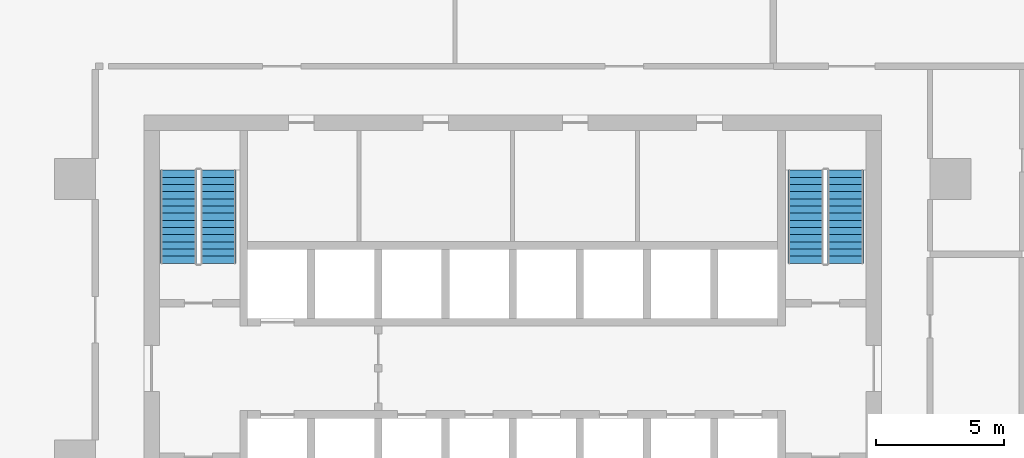
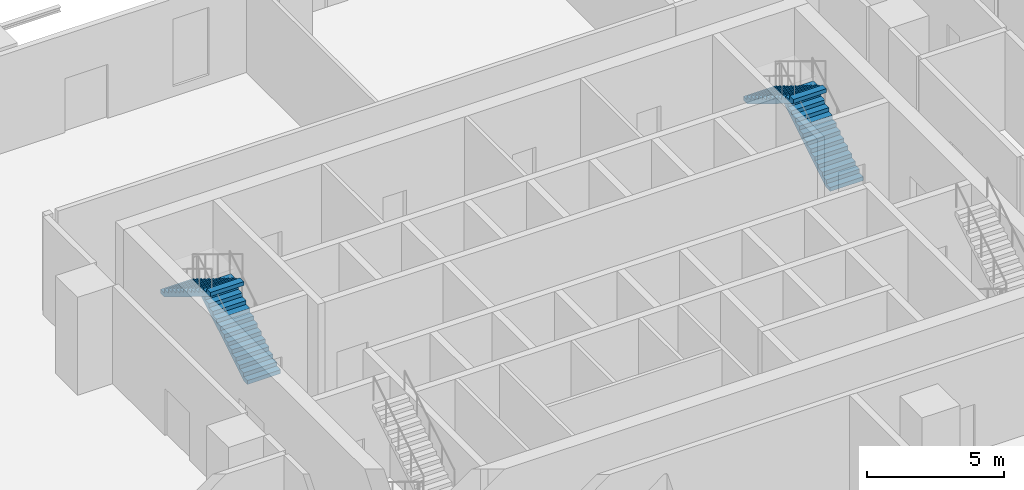
# One storey, part 11 of 15: 4 stair flights, 2 elements without a shape of their own.
"""IFC4 building model written with IfcOpenShell, lengths in metres."""

from ifc_helpers import new_model, si_unit, direction, frame, origin, place, context, subcontext, project, spatial, polyline, outline, extrude, material, type_object, element, aggregate, save


model = new_model("IFC4")

# Units and contexts
model_context = context("Model", 3, precision=1e-05, world=origin(), true_north=direction((0.0, 1.0)))
body_context = subcontext(model_context, "Body", "Model", "MODEL_VIEW")
ifc_project = project(units=[si_unit("LENGTHUNIT", "METRE"), si_unit("AREAUNIT", "SQUARE_METRE"), si_unit("VOLUMEUNIT", "CUBIC_METRE"), si_unit("PLANEANGLEUNIT", "RADIAN"), si_unit("MASSUNIT", "GRAM", prefix="KILO")], contexts=[model_context])

# Site, building, storey
site_placement = place(None, origin())
site = spatial("IfcSite", under=ifc_project, at=site_placement, CompositionType="ELEMENT")
building_placement = place(site_placement, origin())
building = spatial("IfcBuilding", under=site, at=building_placement, Name="Mopane Tessera Tower", CompositionType="ELEMENT")
storey_placement = place(building_placement, frame((0.0, 0.0, 64.60009765625)))
storey = spatial("IfcBuildingStorey", under=building, at=storey_placement, Name="L12", CompositionType="ELEMENT", Elevation=64.60009765625)

# Stair, stair flights
ifc_material_1 = material(Name="Concrete C50/60", Category="concrete")
stair_type = type_object("IfcStairType", Name="Escape stair 1400 mm, riser 171 mm", PredefinedType="HALF_TURN_STAIR", material=ifc_material_1)
stair_1_placement = place(storey_placement, origin())
stair_1 = element("IfcStair", 1, at=stair_1_placement, inside=storey, type_object=stair_type, Name="L12 Escape stair north-west", PredefinedType="HALF_TURN_STAIR")
ifc_material_2 = material(Name="Concrete C50/60", Category="concrete")
stair_flight_type = type_object("IfcStairFlightType", Name="Escape stair flight 1400 mm", PredefinedType="STRAIGHT", material=ifc_material_2)
stair_flight_1_placement = place(storey_placement, frame((-11.5, 7.699951171875, 0.0), z_axis=(0.0, 0.0, 1.0), x_axis=(0.0, 1.0, 0.0)))
stair_flight_1 = element("IfcStairFlight", 2, at=stair_flight_1_placement, type_object=stair_flight_type, Name="ST2 flight 1", NumberOfRisers=14, NumberOfTreads=13, PredefinedType="STRAIGHT", RiserHeight=0.171428571, TreadLength=0.28, context=body_context, shape_type="SweptSolid", body=[
    extrude(outline(polyline([(0.0, 0.0), (0.0, 0.17138671875), (0.280029296875, 0.17138671875), (0.280029296875, 0.3427734375), (0.56005859375, 0.3427734375), (0.56005859375, 0.514404296875), (0.840087890625, 0.514404296875), (0.840087890625, 0.685791015625), (1.1201171875, 0.685791015625), (1.1201171875, 0.857177734375), (1.39990234375, 0.857177734375), (1.39990234375, 1.028564453125), (1.679931640625, 1.028564453125), (1.679931640625, 1.199951171875), (1.9599609375, 1.199951171875), (1.9599609375, 1.371337890625), (2.239990234375, 1.371337890625), (2.239990234375, 1.54296875), (2.52001953125, 1.54296875), (2.52001953125, 1.71435546875), (2.800048828125, 1.71435546875), (2.800048828125, 1.8857421875), (3.080078125, 1.8857421875), (3.080078125, 2.05712890625), (3.360107421875, 2.05712890625), (3.360107421875, 2.228515625), (3.639892578125, 2.228515625), (3.639892578125, 2.39990234375), (3.639892578125, 2.052734375), (0.287109375, 0.0), (0.0, 0.0)])), frame((0.0, 0.699951171875, 0.0), z_axis=(0.0, -1.0, 0.0), x_axis=(1.0, 0.0, 0.0)), (0.0, 0.0, 1.0), 1.39990234375),
])
stair_flight_2_placement = place(storey_placement, frame((-13.050048828125, 11.340087890625, 2.39990234375), z_axis=(0.0, 0.0, 1.0), x_axis=(0.0, -1.0, 0.0)))
stair_flight_2 = element("IfcStairFlight", 3, at=stair_flight_2_placement, type_object=stair_flight_type, Name="ST2 flight 2", NumberOfRisers=14, NumberOfTreads=13, PredefinedType="STRAIGHT", RiserHeight=0.171428571, TreadLength=0.28, context=body_context, shape_type="SweptSolid", body=[
    extrude(outline(polyline([(0.0, 0.0), (0.0, 0.17138671875), (0.280029296875, 0.17138671875), (0.280029296875, 0.3427734375), (0.56005859375, 0.3427734375), (0.56005859375, 0.514404296875), (0.840087890625, 0.514404296875), (0.840087890625, 0.685791015625), (1.1201171875, 0.685791015625), (1.1201171875, 0.857177734375), (1.39990234375, 0.857177734375), (1.39990234375, 1.028564453125), (1.679931640625, 1.028564453125), (1.679931640625, 1.199951171875), (1.9599609375, 1.199951171875), (1.9599609375, 1.371337890625), (2.239990234375, 1.371337890625), (2.239990234375, 1.54296875), (2.52001953125, 1.54296875), (2.52001953125, 1.71435546875), (2.800048828125, 1.71435546875), (2.800048828125, 1.8857421875), (3.080078125, 1.8857421875), (3.080078125, 2.05712890625), (3.360107421875, 2.05712890625), (3.360107421875, 2.228515625), (3.639892578125, 2.228515625), (3.639892578125, 2.39990234375), (3.639892578125, 2.052734375), (0.287109375, 0.0), (0.0, 0.0)])), frame((0.0, 0.699951171875, 0.0), z_axis=(0.0, -1.0, 0.0), x_axis=(1.0, 0.0, 0.0)), (0.0, 0.0, 1.0), 1.39990234375),
])
aggregate(stair_1, [stair_flight_1, stair_flight_2])

stair_2_placement = place(storey_placement, origin())
stair_2 = element("IfcStair", 4, at=stair_2_placement, inside=storey, type_object=stair_type, Name="L12 Escape stair north-east", PredefinedType="HALF_TURN_STAIR")
stair_flight_3_placement = place(storey_placement, frame((13.0, 7.699951171875, 0.0), z_axis=(0.0, 0.0, 1.0), x_axis=(0.0, 1.0, 0.0)))
stair_flight_3 = element("IfcStairFlight", 5, at=stair_flight_3_placement, type_object=stair_flight_type, Name="ST4 flight 1", NumberOfRisers=14, NumberOfTreads=13, PredefinedType="STRAIGHT", RiserHeight=0.171428571, TreadLength=0.28, context=body_context, shape_type="SweptSolid", body=[
    extrude(outline(polyline([(0.0, 0.0), (0.0, 0.17138671875), (0.280029296875, 0.17138671875), (0.280029296875, 0.3427734375), (0.56005859375, 0.3427734375), (0.56005859375, 0.514404296875), (0.840087890625, 0.514404296875), (0.840087890625, 0.685791015625), (1.1201171875, 0.685791015625), (1.1201171875, 0.857177734375), (1.39990234375, 0.857177734375), (1.39990234375, 1.028564453125), (1.679931640625, 1.028564453125), (1.679931640625, 1.199951171875), (1.9599609375, 1.199951171875), (1.9599609375, 1.371337890625), (2.239990234375, 1.371337890625), (2.239990234375, 1.54296875), (2.52001953125, 1.54296875), (2.52001953125, 1.71435546875), (2.800048828125, 1.71435546875), (2.800048828125, 1.8857421875), (3.080078125, 1.8857421875), (3.080078125, 2.05712890625), (3.360107421875, 2.05712890625), (3.360107421875, 2.228515625), (3.639892578125, 2.228515625), (3.639892578125, 2.39990234375), (3.639892578125, 2.052734375), (0.287109375, 0.0), (0.0, 0.0)])), frame((0.0, 0.699951171875, 0.0), z_axis=(0.0, -1.0, 0.0), x_axis=(1.0, 0.0, 0.0)), (0.0, 0.0, 1.0), 1.39990234375),
])
stair_flight_4_placement = place(storey_placement, frame((11.449951171875, 11.340087890625, 2.39990234375), z_axis=(0.0, 0.0, 1.0), x_axis=(0.0, -1.0, 0.0)))
stair_flight_4 = element("IfcStairFlight", 6, at=stair_flight_4_placement, type_object=stair_flight_type, Name="ST4 flight 2", NumberOfRisers=14, NumberOfTreads=13, PredefinedType="STRAIGHT", RiserHeight=0.171428571, TreadLength=0.28, context=body_context, shape_type="SweptSolid", body=[
    extrude(outline(polyline([(0.0, 0.0), (0.0, 0.17138671875), (0.280029296875, 0.17138671875), (0.280029296875, 0.3427734375), (0.56005859375, 0.3427734375), (0.56005859375, 0.514404296875), (0.840087890625, 0.514404296875), (0.840087890625, 0.685791015625), (1.1201171875, 0.685791015625), (1.1201171875, 0.857177734375), (1.39990234375, 0.857177734375), (1.39990234375, 1.028564453125), (1.679931640625, 1.028564453125), (1.679931640625, 1.199951171875), (1.9599609375, 1.199951171875), (1.9599609375, 1.371337890625), (2.239990234375, 1.371337890625), (2.239990234375, 1.54296875), (2.52001953125, 1.54296875), (2.52001953125, 1.71435546875), (2.800048828125, 1.71435546875), (2.800048828125, 1.8857421875), (3.080078125, 1.8857421875), (3.080078125, 2.05712890625), (3.360107421875, 2.05712890625), (3.360107421875, 2.228515625), (3.639892578125, 2.228515625), (3.639892578125, 2.39990234375), (3.639892578125, 2.052734375), (0.287109375, 0.0), (0.0, 0.0)])), frame((0.0, 0.699951171875, 0.0), z_axis=(0.0, -1.0, 0.0), x_axis=(1.0, 0.0, 0.0)), (0.0, 0.0, 1.0), 1.39990234375),
])
aggregate(stair_2, [stair_flight_3, stair_flight_4])

save(model, "model.ifc")
